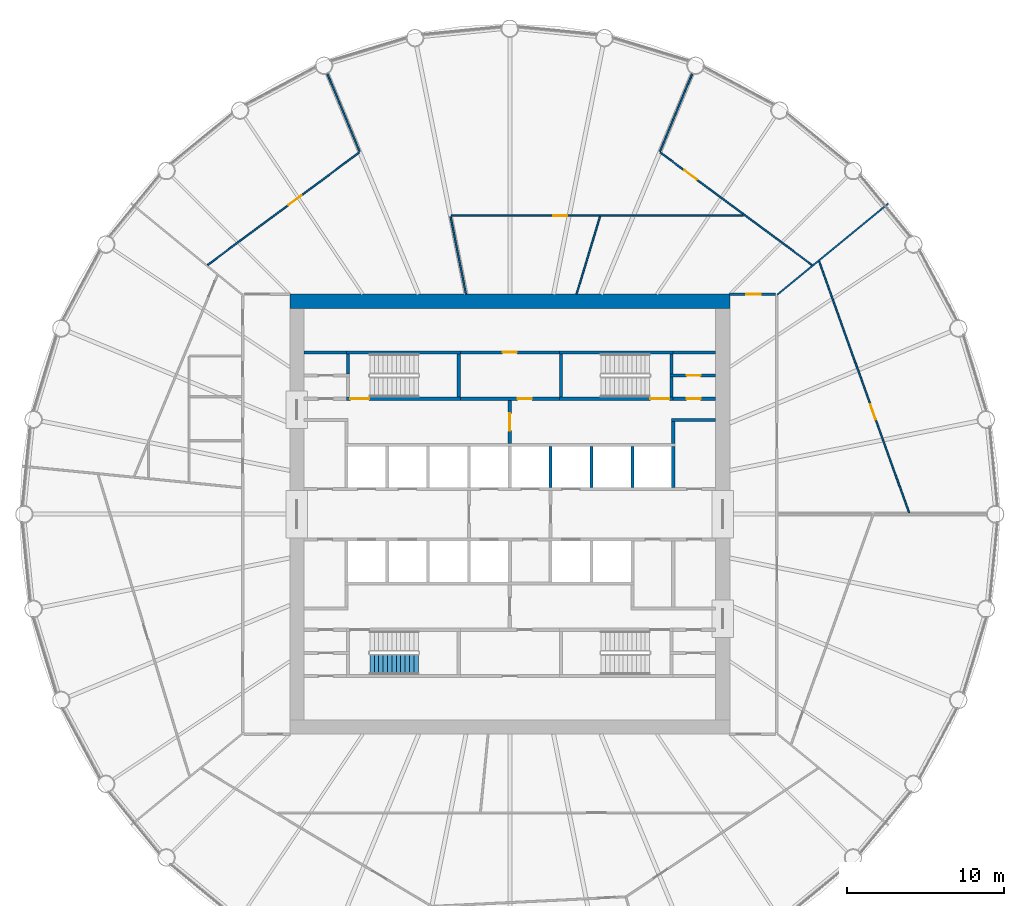
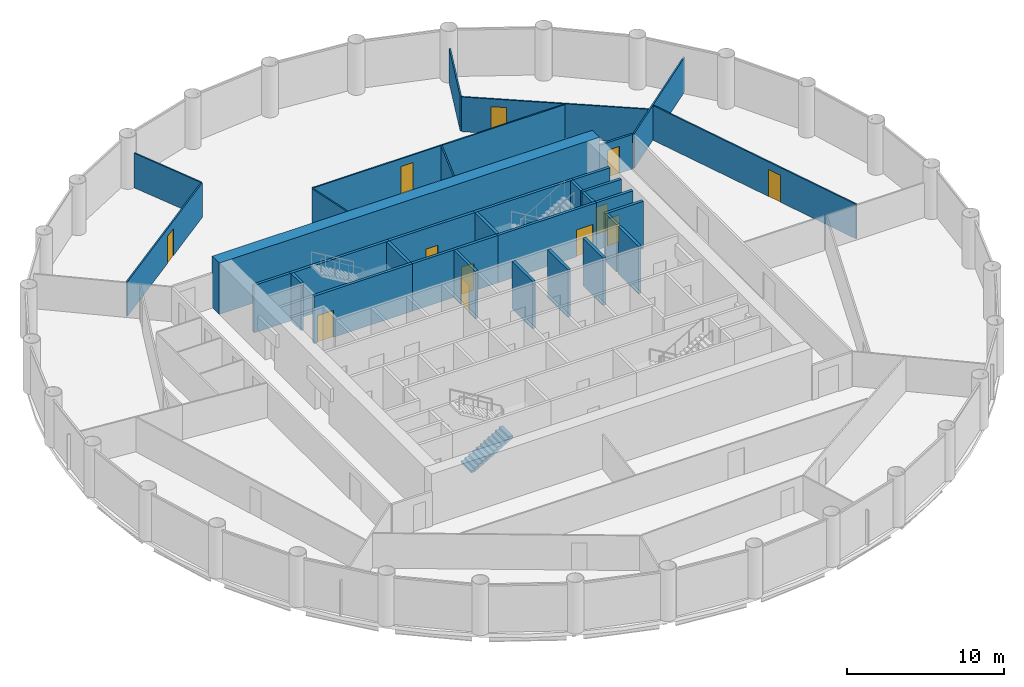
# One storey, part 7 of 9: 33 walls, 12 doors, 1 stair flight, 12 openings, 1 element without a shape of its own.
"""IFC4 building model written with IfcOpenShell, lengths in metres."""

import ifcopenshell
import ifcopenshell.guid

model = None  # the IFC model being written
_history = None  # IfcOwnerHistory: only IFC2X3 demands one
_inside = {}  # id of a spatial element -> (the spatial element, [elements in it])
_under = {}  # id of a project, library or spatial element -> (it, [spatial elements below it])
_declared = {}  # id of a project -> (the project, [libraries it declares])
_typed = {}  # id of a type object -> (the type object, [elements of that type])
_made_of = {}  # id of a material, layer set ... -> (it, [elements and type objects made of it])


def new_model(schema):
    """Start an empty IFC model of exactly this schema.

    Asked for "IFC4X3", IfcOpenShell would pick the latest addendum, in which some entities
    have other attributes; the version numbers below select the first issue.
    IFC2X3 requires an IfcOwnerHistory on every rooted entity: one is made here for all.
    """
    global model, _history
    if schema == "IFC4X3":
        model = ifcopenshell.file(schema_version=(4, 3, 0, 0))
    else:
        model = ifcopenshell.file(schema=schema)
    _inside.clear()
    _under.clear()
    _declared.clear()
    _typed.clear()
    _made_of.clear()
    _history = None
    if model.schema == "IFC2X3":
        org = make("IfcOrganization", Name="unknown")
        user = make(
            "IfcPersonAndOrganization",
            ThePerson=make("IfcPerson", FamilyName="unknown"),
            TheOrganization=org,
        )
        app = make(
            "IfcApplication",
            ApplicationDeveloper=org,
            Version="unknown",
            ApplicationFullName="unknown",
            ApplicationIdentifier="unknown",
        )
        _history = make(
            "IfcOwnerHistory",
            OwningUser=user,
            OwningApplication=app,
            ChangeAction="ADDED",
            CreationDate=0,
        )
    return model


def make(cls, **values):
    """One entity of the class cls with the attributes given. An attribute that is None is left unset."""
    return model.create_entity(
        cls, **{name: value for name, value in values.items() if value is not None}
    )


def rooted(cls, **values):
    """An entity with a GlobalId (a new one), such as an element, a storey or a relation."""
    return make(cls, GlobalId=ifcopenshell.guid.new(), OwnerHistory=_history, **values)


def si_unit(unit_type, name, prefix=None):
    """IfcSIUnit, for example si_unit("LENGTHUNIT", "METRE", prefix="MILLI")."""
    return make("IfcSIUnit", UnitType=unit_type, Prefix=prefix, Name=name)


def assignment(units):
    """IfcUnitAssignment: the units of a project."""
    return None if units is None else make("IfcUnitAssignment", Units=units)


def point(xyz):
    """IfcCartesianPoint."""
    return None if xyz is None else make("IfcCartesianPoint", Coordinates=xyz)


def direction(xyz):
    """IfcDirection."""
    return None if xyz is None else make("IfcDirection", DirectionRatios=xyz)


def frame(location, z_axis=None, x_axis=None):
    """IfcAxis2Placement3D, a coordinate frame: its origin and axes. An axis left out is left unset."""
    return make(
        "IfcAxis2Placement3D",
        Location=point(location),
        Axis=direction(z_axis),
        RefDirection=direction(x_axis),
    )


def frame_2d(location, x_axis=None):
    """IfcAxis2Placement2D, a coordinate frame in the plane: its origin and x axis."""
    return make(
        "IfcAxis2Placement2D", Location=point(location), RefDirection=direction(x_axis)
    )


def origin():
    """The frame at (0, 0, 0) with its axes left unset."""
    return frame((0.0, 0.0, 0.0))


def place(relative_to, where):
    """IfcLocalPlacement: puts the frame where relative to a parent placement (None: the world)."""
    return make(
        "IfcLocalPlacement", PlacementRelTo=relative_to, RelativePlacement=where
    )


def context(
    kind, dimensions, precision=None, world=None, true_north=None, identifier=None
):
    """IfcGeometricRepresentationContext, for example the 3D "Model" context."""
    return make(
        "IfcGeometricRepresentationContext",
        ContextIdentifier=identifier,
        ContextType=kind,
        CoordinateSpaceDimension=dimensions,
        Precision=precision,
        WorldCoordinateSystem=world,
        TrueNorth=true_north,
    )


def subcontext(parent, identifier, kind, view, scale=None):
    """IfcGeometricRepresentationSubContext, for example "Body" below "Model"."""
    return make(
        "IfcGeometricRepresentationSubContext",
        ContextIdentifier=identifier,
        ContextType=kind,
        ParentContext=parent,
        TargetScale=scale,
        TargetView=view,
    )


def project(units=None, contexts=None):
    """IfcProject with its units and contexts."""
    return rooted(
        "IfcProject",
        Name="project",
        RepresentationContexts=contexts,
        UnitsInContext=assignment(units),
    )


def spatial(cls, under=None, at=None, **own):
    """A site, building, storey or space (cls), placed at a placement, below another one or the project."""
    s = rooted(cls, ObjectPlacement=at, **own)
    if under is not None:
        _under.setdefault(under.id(), (under, []))[1].append(s)
    return s


def polyline(points):
    """IfcPolyline through the points."""
    return make("IfcPolyline", Points=[point(p) for p in points])


def profile(cls, at=None, kind="AREA", **sizes):
    """A parametric profile (cls). Its sizes go by their IFC names, for example OverallWidth=200.0."""
    return make(cls, ProfileType=kind, Position=at, **sizes)


def rectangle(**sizes):
    """IfcRectangleProfileDef."""
    return profile("IfcRectangleProfileDef", **sizes)


def outline(outer, holes=None, kind="AREA"):
    """IfcArbitraryClosedProfileDef: a profile drawn as a closed curve; with holes, ...WithVoids."""
    if holes is None:
        return make("IfcArbitraryClosedProfileDef", ProfileType=kind, OuterCurve=outer)
    return make(
        "IfcArbitraryProfileDefWithVoids",
        ProfileType=kind,
        OuterCurve=outer,
        InnerCurves=holes,
    )


def extrude(swept, where, along, depth):
    """IfcExtrudedAreaSolid: the profile swept, set in the frame where, extruded along a direction by depth."""
    return make(
        "IfcExtrudedAreaSolid",
        SweptArea=swept,
        Position=where,
        ExtrudedDirection=direction(along),
        Depth=depth,
    )


def shape(context_of_items, identifier, shape_type, items):
    """IfcShapeRepresentation: the items that make up one representation, for example the "Body"."""
    return make(
        "IfcShapeRepresentation",
        ContextOfItems=context_of_items,
        RepresentationIdentifier=identifier,
        RepresentationType=shape_type,
        Items=items,
    )


def material(Name=None, Category=None):
    """IfcMaterial."""
    return make("IfcMaterial", Name=Name, Category=Category)


def layer(
    of_material, thickness, ventilated=None, Name=None, Category=None, Priority=None
):
    """IfcMaterialLayer: one layer of a wall or slab, of a material (None: an air gap)."""
    return make(
        "IfcMaterialLayer",
        Material=of_material,
        LayerThickness=thickness,
        IsVentilated=ventilated,
        Name=Name,
        Category=Category,
        Priority=Priority,
    )


def layer_set(layers, Name=None):
    """IfcMaterialLayerSet."""
    return make("IfcMaterialLayerSet", MaterialLayers=layers, LayerSetName=Name)


def made_of(thing, what):
    """Note that an element or type object is made of a material, layer set ...; save() writes the relation."""
    if what is not None:
        _made_of.setdefault(what.id(), (what, []))[1].append(thing)
    return thing


def type_object(cls, material=None, **own):
    """A type object (cls), such as IfcWallType, which elements share."""
    return made_of(rooted(cls, **own), material)


def element(
    cls,
    number,
    at=None,
    inside=None,
    cuts=None,
    type_object=None,
    material=None,
    context=None,
    identifier="Body",
    shape_type=None,
    held_by="IfcProductDefinitionShape",
    body=None,
    shapes=None,
    **own,
):
    """One element of the class cls, such as IfcWall. Its Tag is "e" and its number.

    at: its placement. inside: the storey or other place that contains it. cuts: it is an
    opening in that element (IfcRelVoidsElement). A single representation is given by context,
    identifier, shape_type and body (its items); several are given by shapes. held_by: the class
    of the entity that holds the representations. save() writes the other relations.
    """
    e = rooted(cls, Tag="e%d" % number, ObjectPlacement=at, **own)
    if body is not None:
        shapes = [shape(context, identifier, shape_type, body)]
    if shapes is not None:
        e.Representation = make(held_by, Representations=shapes)
    if inside is not None:
        _inside.setdefault(inside.id(), (inside, []))[1].append(e)
    if cuts is not None:
        rooted(
            "IfcRelVoidsElement", RelatingBuildingElement=cuts, RelatedOpeningElement=e
        )
    if type_object is not None:
        _typed.setdefault(type_object.id(), (type_object, []))[1].append(e)
    return made_of(e, material)


def fill(opening, filler):
    """IfcRelFillsElement: the door or window that sits in an opening."""
    return rooted(
        "IfcRelFillsElement",
        RelatingOpeningElement=opening,
        RelatedBuildingElement=filler,
    )


def aggregate(whole, parts):
    """IfcRelAggregates: a whole, such as a stair, and the parts it consists of."""
    return rooted("IfcRelAggregates", RelatingObject=whole, RelatedObjects=parts)


def save(model, path):
    """Write the relations noted so far, then the file.

    IfcRelAggregates (storeys below a building ...), IfcRelContainedInSpatialStructure (elements
    in a storey), IfcRelDefinesByType, IfcRelAssociatesMaterial and IfcRelDeclares: one each for
    every whole, place, type object, material and project.
    """
    for whole, parts in _under.values():
        aggregate(whole, parts)
    for where, things in _inside.values():
        rooted(
            "IfcRelContainedInSpatialStructure",
            RelatedElements=things,
            RelatingStructure=where,
        )
    for kind, things in _typed.values():
        rooted("IfcRelDefinesByType", RelatedObjects=things, RelatingType=kind)
    for what, things in _made_of.values():
        rooted("IfcRelAssociatesMaterial", RelatedObjects=things, RelatingMaterial=what)
    for by, libraries in _declared.values():
        rooted("IfcRelDeclares", RelatingContext=by, RelatedDefinitions=libraries)
    model.write(path)


model = new_model("IFC4")

# Units and contexts
model_context = context("Model", 3, precision=1e-05, world=origin(), true_north=direction((0.0, 1.0)))
body_context = subcontext(model_context, "Body", "Model", "MODEL_VIEW")
ifc_project = project(units=[si_unit("LENGTHUNIT", "METRE"), si_unit("AREAUNIT", "SQUARE_METRE"), si_unit("VOLUMEUNIT", "CUBIC_METRE"), si_unit("PLANEANGLEUNIT", "RADIAN"), si_unit("MASSUNIT", "GRAM", prefix="KILO")], contexts=[model_context])

# Site, building, storey
site_placement = place(None, origin())
site = spatial("IfcSite", under=ifc_project, at=site_placement, CompositionType="ELEMENT")
building_placement = place(site_placement, origin())
building = spatial("IfcBuilding", under=site, at=building_placement, Name="Corvane Civic Tower", CompositionType="ELEMENT")
storey_placement = place(building_placement, frame((0.0, 0.0, 168.0)))
storey = spatial("IfcBuildingStorey", under=building, at=storey_placement, Name="L39", CompositionType="ELEMENT", Elevation=168.0)

# Wall
ifc_material_1 = material(Name="Concrete C60/75", Category="concrete")
ifc_layer_1 = layer(ifc_material_1, 0.89990234375)
ifc_layer_set_1 = layer_set([ifc_layer_1], Name="Concrete C60/75")
wall_type_1 = type_object("IfcWallType", Name="CORE WALL 900 C60/75", PredefinedType="SHEAR", material=ifc_layer_set_1)
wall_1_placement = place(storey_placement, frame((-14.0, 13.550048828125, 0.0), z_axis=(0.0, 0.0, 1.0), x_axis=(1.0, 0.0, 0.0)))
element("IfcWall", 1, at=wall_1_placement, inside=storey, type_object=wall_type_1, Name="W-L39-core-N", PredefinedType="SHEAR", context=body_context, shape_type="SweptSolid", body=[
    extrude(rectangle(XDim=28.0, YDim=0.89990234375, at=frame_2d((14.0, 0.0))), origin(), (0.0, 0.0, 1.0), 4.0),
])

# Wall, opening, door
ifc_material_2 = material(Name="Concrete C30/37", Category="concrete")
ifc_layer_2 = layer(ifc_material_2, 0.199951171875)
ifc_layer_set_2 = layer_set([ifc_layer_2], Name="Concrete C30/37")
wall_type_2 = type_object("IfcWallType", Name="CR-WALL-200", PredefinedType="PARTITIONING", material=ifc_layer_set_2)
wall_2_placement = place(storey_placement, frame((-3.14990234375, 7.35009765625, 0.0), z_axis=(0.0, 0.0, 1.0), x_axis=(1.0, 0.0, 0.0)))
wall_2 = element("IfcWall", 2, at=wall_2_placement, inside=storey, type_object=wall_type_2, Name="L39 partition wall", PredefinedType="PARTITIONING", context=body_context, shape_type="SweptSolid", body=[
    extrude(rectangle(XDim=6.2998046875, YDim=0.199951171875, at=frame_2d((3.14990234375, 0.0))), origin(), (0.0, 0.0, 1.0), 3.699951171875),
])
opening_1_placement = place(wall_2_placement, frame((3.64990234375, 0.0, 0.0)))
opening_1 = element("IfcOpeningElement", 3, at=opening_1_placement, cuts=wall_2, Name="Opening L39.C07", PredefinedType="OPENING", context=body_context, shape_type="SweptSolid", body=[
    extrude(rectangle(XDim=0.89990234375, YDim=2.10009765625, at=frame_2d((0.449951171875, 1.050048828125))), frame((0.0, 0.10986328125, 0.0), z_axis=(0.0, -1.0, 0.0), x_axis=(1.0, 0.0, 0.0)), (0.0, 0.0, 1.0), 0.219970703125),
])
ifc_material_3 = material(Name="Steel fire door leaf", Category="steel")
door_type_1 = type_object("IfcDoorType", Name="CR-DOOR-900", OperationType="SINGLE_SWING_LEFT", PredefinedType="DOOR", material=ifc_material_3)
door_1_placement = place(opening_1_placement, origin())
door_1 = element("IfcDoor", 4, at=door_1_placement, inside=storey, type_object=door_type_1, Name="L39 door", OperationType="SINGLE_SWING_LEFT", OverallHeight=2.10009765625, OverallWidth=0.89990234375, PredefinedType="DOOR", context=body_context, shape_type="SweptSolid", body=[
    extrude(rectangle(XDim=0.89990234375, YDim=2.10009765625, at=frame_2d((0.449951171875, 1.050048828125))), frame((0.0, 0.02490234375, 0.0), z_axis=(0.0, -1.0, 0.0), x_axis=(1.0, 0.0, 0.0)), (0.0, 0.0, 1.0), 0.050048828125),
])
fill(opening_1, door_1)

wall_3_placement = place(storey_placement, frame((10.39990234375, 7.35009765625, 0.0), z_axis=(0.0, 0.0, 1.0), x_axis=(1.0, 0.0, 0.0)))
wall_3 = element("IfcWall", 5, at=wall_3_placement, inside=storey, type_object=wall_type_2, Name="L39 core partition wall", PredefinedType="PARTITIONING", context=body_context, shape_type="SweptSolid", body=[
    extrude(rectangle(XDim=2.7001953125, YDim=0.199951171875, at=frame_2d((1.35009765625, 0.0))), origin(), (0.0, 0.0, 1.0), 3.699951171875),
])
opening_2_placement = place(wall_3_placement, frame((0.85009765625, 0.0, 0.0)))
opening_2 = element("IfcOpeningElement", 6, at=opening_2_placement, cuts=wall_3, Name="Opening L39.C16", PredefinedType="OPENING", context=body_context, shape_type="SweptSolid", body=[
    extrude(rectangle(XDim=0.89990234375, YDim=2.10009765625, at=frame_2d((0.449951171875, 1.050048828125))), frame((0.0, 0.10986328125, 0.0), z_axis=(0.0, -1.0, 0.0), x_axis=(1.0, 0.0, 0.0)), (0.0, 0.0, 1.0), 0.219970703125),
])
door_2_placement = place(opening_2_placement, origin())
door_2 = element("IfcDoor", 7, at=door_2_placement, inside=storey, type_object=door_type_1, Name="L39 door", OperationType="SINGLE_SWING_LEFT", OverallHeight=2.10009765625, OverallWidth=0.89990234375, PredefinedType="DOOR", context=body_context, shape_type="SweptSolid", body=[
    extrude(rectangle(XDim=0.89990234375, YDim=2.10009765625, at=frame_2d((0.449951171875, 1.050048828125))), frame((0.0, 0.02490234375, 0.0), z_axis=(0.0, -1.0, 0.0), x_axis=(1.0, 0.0, 0.0)), (0.0, 0.0, 1.0), 0.050048828125),
])
fill(opening_2, door_2)

wall_4_placement = place(storey_placement, frame((10.199951171875, 8.824951171875, 0.0), z_axis=(0.0, 0.0, 1.0), x_axis=(1.0, 0.0, 0.0)))
wall_4 = element("IfcWall", 8, at=wall_4_placement, inside=storey, type_object=wall_type_2, Name="L39 partition wall", PredefinedType="PARTITIONING", context=body_context, shape_type="SweptSolid", body=[
    extrude(rectangle(XDim=2.900146484375, YDim=0.199951171875, at=frame_2d((1.4501953125, 0.0))), origin(), (0.0, 0.0, 1.0), 3.699951171875),
])
opening_3_placement = place(wall_4_placement, frame((1.050048828125, 0.0, 0.0)))
opening_3 = element("IfcOpeningElement", 9, at=opening_3_placement, cuts=wall_4, Name="Opening L39.C17", PredefinedType="OPENING", context=body_context, shape_type="SweptSolid", body=[
    extrude(rectangle(XDim=0.89990234375, YDim=2.10009765625, at=frame_2d((0.449951171875, 1.050048828125))), frame((0.0, 0.10986328125, 0.0), z_axis=(0.0, -1.0, 0.0), x_axis=(1.0, 0.0, 0.0)), (0.0, 0.0, 1.0), 0.219970703125),
])
door_3_placement = place(opening_3_placement, origin())
door_3 = element("IfcDoor", 10, at=door_3_placement, inside=storey, type_object=door_type_1, Name="L39 door", OperationType="SINGLE_SWING_LEFT", OverallHeight=2.10009765625, OverallWidth=0.89990234375, PredefinedType="DOOR", context=body_context, shape_type="SweptSolid", body=[
    extrude(rectangle(XDim=0.89990234375, YDim=2.10009765625, at=frame_2d((0.449951171875, 1.050048828125))), frame((0.0, 0.02490234375, 0.0), z_axis=(0.0, -1.0, 0.0), x_axis=(1.0, 0.0, 0.0)), (0.0, 0.0, 1.0), 0.050048828125),
])
fill(opening_3, door_3)

wall_5_placement = place(storey_placement, frame((-3.14990234375, 10.300048828125, 0.0), z_axis=(0.0, 0.0, 1.0), x_axis=(1.0, 0.0, 0.0)))
wall_5 = element("IfcWall", 11, at=wall_5_placement, inside=storey, type_object=wall_type_2, Name="L39 partition wall", PredefinedType="PARTITIONING", context=body_context, shape_type="SweptSolid", body=[
    extrude(rectangle(XDim=6.2998046875, YDim=0.199951171875, at=frame_2d((3.14990234375, 0.0))), origin(), (0.0, 0.0, 1.0), 3.699951171875),
])
opening_4_placement = place(wall_5_placement, frame((2.699951171875, 0.0, 0.0)))
opening_4 = element("IfcOpeningElement", 12, at=opening_4_placement, cuts=wall_5, Name="Opening L39.C09", PredefinedType="OPENING", context=body_context, shape_type="SweptSolid", body=[
    extrude(rectangle(XDim=0.89990234375, YDim=2.10009765625, at=frame_2d((0.449951171875, 1.050048828125))), frame((0.0, 0.10986328125, 0.0), z_axis=(0.0, -1.0, 0.0), x_axis=(1.0, 0.0, 0.0)), (0.0, 0.0, 1.0), 0.219970703125),
])
door_4_placement = place(opening_4_placement, origin())
door_4 = element("IfcDoor", 13, at=door_4_placement, inside=storey, type_object=door_type_1, Name="L39 door", OperationType="SINGLE_SWING_LEFT", OverallHeight=2.10009765625, OverallWidth=0.89990234375, PredefinedType="DOOR", context=body_context, shape_type="SweptSolid", body=[
    extrude(rectangle(XDim=0.89990234375, YDim=2.10009765625, at=frame_2d((0.449951171875, 1.050048828125))), frame((0.0, 0.02490234375, 0.0), z_axis=(0.0, -1.0, 0.0), x_axis=(1.0, 0.0, 0.0)), (0.0, 0.0, 1.0), 0.050048828125),
])
fill(opening_4, door_4)

wall_6_placement = place(storey_placement, frame((0.0, 4.5, 0.0), z_axis=(0.0, 0.0, 1.0), x_axis=(0.0, 1.0, 0.0)))
wall_6 = element("IfcWall", 14, at=wall_6_placement, inside=storey, type_object=wall_type_2, Name="L39 core partition wall", PredefinedType="PARTITIONING", context=body_context, shape_type="SweptSolid", body=[
    extrude(rectangle(XDim=2.75, YDim=0.199951171875, at=frame_2d((1.375, 0.0))), origin(), (0.0, 0.0, 1.0), 3.699951171875),
])
opening_5_placement = place(wall_6_placement, frame((0.824951171875, 0.0, 0.0)))
opening_5 = element("IfcOpeningElement", 15, at=opening_5_placement, cuts=wall_6, Name="Opening L39.C26", PredefinedType="OPENING", context=body_context, shape_type="SweptSolid", body=[
    extrude(rectangle(XDim=1.10009765625, YDim=2.10009765625, at=frame_2d((0.550048828125, 1.050048828125))), frame((0.0, 0.10986328125, 0.0), z_axis=(0.0, -1.0, 0.0), x_axis=(1.0, 0.0, 0.0)), (0.0, 0.0, 1.0), 0.219970703125),
])
ifc_material_4 = material(Name="Steel fire door leaf", Category="steel")
door_type_2 = type_object("IfcDoorType", Name="CR-DOOR-FFL-1100", OperationType="SINGLE_SWING_LEFT", PredefinedType="DOOR", material=ifc_material_4)
door_5_placement = place(opening_5_placement, origin())
door_5 = element("IfcDoor", 16, at=door_5_placement, inside=storey, type_object=door_type_2, Name="L39 lobby door", OperationType="SINGLE_SWING_LEFT", OverallHeight=2.10009765625, OverallWidth=1.10009765625, PredefinedType="DOOR", context=body_context, shape_type="SweptSolid", body=[
    extrude(rectangle(XDim=1.10009765625, YDim=2.10009765625, at=frame_2d((0.550048828125, 1.050048828125))), frame((0.0, 0.02490234375, 0.0), z_axis=(0.0, -1.0, 0.0), x_axis=(1.0, 0.0, 0.0)), (0.0, 0.0, 1.0), 0.050048828125),
])
fill(opening_5, door_5)

# Walls
wall_7_placement = place(storey_placement, origin())
element("IfcWall", 17, at=wall_7_placement, inside=storey, type_object=wall_type_2, Name="L39 core partition wall", PredefinedType="PARTITIONING", context=body_context, shape_type="SweptSolid", body=[
    extrude(outline(polyline([(13.10009765625, 5.89990234375), (10.300048828125, 5.89990234375), (10.300048828125, 6.10009765625), (13.10009765625, 6.10009765625), (13.10009765625, 5.89990234375)])), origin(), (0.0, 0.0, 1.0), 3.699951171875),
])
wall_8_placement = place(storey_placement, origin())
element("IfcWall", 18, at=wall_8_placement, inside=storey, type_object=wall_type_2, Name="L39 core partition wall", PredefinedType="PARTITIONING", context=body_context, shape_type="SweptSolid", body=[
    extrude(outline(polyline([(2.699951171875, 1.699951171875), (2.5, 1.699951171875), (2.5, 4.2998046875), (2.699951171875, 4.2998046875), (2.699951171875, 1.699951171875)])), origin(), (0.0, 0.0, 1.0), 3.699951171875),
])
wall_9_placement = place(storey_placement, origin())
element("IfcWall", 19, at=wall_9_placement, inside=storey, type_object=wall_type_2, Name="L39 core partition wall", PredefinedType="PARTITIONING", context=body_context, shape_type="SweptSolid", body=[
    extrude(outline(polyline([(5.300048828125, 1.699951171875), (5.10009765625, 1.699951171875), (5.10009765625, 4.2998046875), (5.300048828125, 4.2998046875), (5.300048828125, 1.699951171875)])), origin(), (0.0, 0.0, 1.0), 3.699951171875),
])
wall_10_placement = place(storey_placement, origin())
element("IfcWall", 20, at=wall_10_placement, inside=storey, type_object=wall_type_2, Name="L39 core partition wall", PredefinedType="PARTITIONING", context=body_context, shape_type="SweptSolid", body=[
    extrude(outline(polyline([(7.89990234375, 1.699951171875), (7.699951171875, 1.699951171875), (7.699951171875, 4.2998046875), (7.89990234375, 4.2998046875), (7.89990234375, 1.699951171875)])), origin(), (0.0, 0.0, 1.0), 3.699951171875),
])
wall_11_placement = place(storey_placement, origin())
element("IfcWall", 21, at=wall_11_placement, inside=storey, type_object=wall_type_2, Name="L39 core partition wall", PredefinedType="PARTITIONING", context=body_context, shape_type="SweptSolid", body=[
    extrude(outline(polyline([(10.5, 1.699951171875), (10.300048828125, 1.699951171875), (10.300048828125, 4.2998046875), (10.5, 4.2998046875), (10.5, 1.699951171875)])), origin(), (0.0, 0.0, 1.0), 3.699951171875),
])
wall_12_placement = place(storey_placement, origin())
element("IfcWall", 22, at=wall_12_placement, inside=storey, type_object=wall_type_2, Name="L39 core partition wall", PredefinedType="PARTITIONING", context=body_context, shape_type="SweptSolid", body=[
    extrude(outline(polyline([(10.5, 4.5), (10.300048828125, 4.5), (10.300048828125, 5.89990234375), (10.5, 5.89990234375), (10.5, 4.5)])), origin(), (0.0, 0.0, 1.0), 3.699951171875),
])
wall_13_placement = place(storey_placement, origin())
element("IfcWall", 23, at=wall_13_placement, inside=storey, type_object=wall_type_2, Name="L39 core partition wall", PredefinedType="PARTITIONING", context=body_context, shape_type="SweptSolid", body=[
    extrude(outline(polyline([(-13.10009765625, 10.199951171875), (-13.10009765625, 10.39990234375), (-10.39990234375, 10.39990234375), (-10.39990234375, 10.199951171875), (-13.10009765625, 10.199951171875)])), origin(), (0.0, 0.0, 1.0), 3.699951171875),
])
wall_14_placement = place(storey_placement, origin())
element("IfcWall", 24, at=wall_14_placement, inside=storey, type_object=wall_type_2, Name="L39 core partition wall", PredefinedType="PARTITIONING", context=body_context, shape_type="SweptSolid", body=[
    extrude(outline(polyline([(10.39990234375, 10.199951171875), (10.39990234375, 10.39990234375), (13.10009765625, 10.39990234375), (13.10009765625, 10.199951171875), (10.39990234375, 10.199951171875)])), origin(), (0.0, 0.0, 1.0), 3.699951171875),
])

# Wall, opening, door
ifc_material_5 = material(Name="Plasterboard")
ifc_layer_3 = layer(ifc_material_5, 0.10009765625)
ifc_layer_set_3 = layer_set([ifc_layer_3], Name="Plasterboard")
wall_type_3 = type_object("IfcWallType", Name="Partition 100 plasterboard on studs", PredefinedType="PARTITIONING", material=ifc_layer_set_3)
wall_15_placement = place(storey_placement, frame((19.69189453125, 16.07421875, 0.0), z_axis=(0.0, 0.0, 1.0), x_axis=(0.33689125471, -0.941543563782, 0.0)))
wall_15 = element("IfcWall", 25, at=wall_15_placement, inside=storey, type_object=wall_type_3, Name="Partition L39.018", PredefinedType="PARTITIONING", context=body_context, shape_type="SweptSolid", body=[
    extrude(rectangle(XDim=17.001220703125, YDim=0.10009765625, at=frame_2d((8.50048828125, 0.0))), origin(), (0.0, 0.0, 1.0), 2.699951171875),
])
opening_6_placement = place(wall_15_placement, frame((9.663818359375, 0.0, 0.0)))
opening_6 = element("IfcOpeningElement", 26, at=opening_6_placement, cuts=wall_15, Name="Opening L39.012", PredefinedType="OPENING", context=body_context, shape_type="SweptSolid", body=[
    extrude(rectangle(XDim=1.0, YDim=2.10009765625, at=frame_2d((0.5, 1.050048828125))), frame((0.0, 0.06005859375, 0.0), z_axis=(0.0, -1.0, 0.0), x_axis=(1.0, 0.0, 0.0)), (0.0, 0.0, 1.0), 0.1201171875),
])
ifc_material_6 = material(Name="Timber", Category="wood")
door_type_3 = type_object("IfcDoorType", Name="Single door 1000", OperationType="NOTDEFINED", PredefinedType="DOOR", material=ifc_material_6)
door_6_placement = place(opening_6_placement, origin())
door_6 = element("IfcDoor", 27, at=door_6_placement, inside=storey, type_object=door_type_3, Name="Door L39.012", OperationType="SINGLE_SWING_LEFT", OverallHeight=2.10009765625, OverallWidth=1.0, PredefinedType="DOOR", context=body_context, shape_type="SweptSolid", body=[
    extrude(rectangle(XDim=1.0, YDim=2.10009765625, at=frame_2d((0.5, 1.050048828125))), frame((0.0, 0.02490234375, 0.0), z_axis=(0.0, -1.0, 0.0), x_axis=(1.0, 0.0, 0.0)), (0.0, 0.0, 1.0), 0.050048828125),
])
fill(opening_6, door_6)

# Walls
wall_16_placement = place(storey_placement, frame((17.018310546875, 13.966552734375, 0.0), z_axis=(0.0, 0.0, 1.0), x_axis=(0.773006154143, 0.634398522742, 0.0)))
element("IfcWall", 28, at=wall_16_placement, inside=storey, type_object=wall_type_3, Name="Partition L39.027", PredefinedType="PARTITIONING", context=body_context, shape_type="SweptSolid", body=[
    extrude(rectangle(XDim=9.134521484375, YDim=0.10009765625, at=frame_2d((4.5673828125, 0.0))), origin(), (0.0, 0.0, 1.0), 2.699951171875),
])
wall_17_placement = place(storey_placement, frame((-3.767333984375, 18.940185546875, 0.0), z_axis=(0.0, 0.0, 1.0), x_axis=(0.195044080864, -0.980794477207, 0.0)))
element("IfcWall", 29, at=wall_17_placement, inside=storey, type_object=wall_type_3, Name="Partition L39.029", PredefinedType="PARTITIONING", context=body_context, shape_type="SweptSolid", body=[
    extrude(rectangle(XDim=5.036865234375, YDim=0.10009765625, at=frame_2d((2.5185546875, 0.0))), origin(), (0.0, 0.0, 1.0), 2.699951171875),
])
wall_18_placement = place(storey_placement, frame((4.246826171875, 14.0, 0.0), z_axis=(0.0, 0.0, 1.0), x_axis=(0.29026488673, 0.956946338899, 0.0)))
element("IfcWall", 30, at=wall_18_placement, inside=storey, type_object=wall_type_3, Name="Partition L39.030", PredefinedType="PARTITIONING", context=body_context, shape_type="SweptSolid", body=[
    extrude(rectangle(XDim=5.15771484375, YDim=0.10009765625, at=frame_2d((2.578857421875, 0.0))), origin(), (0.0, 0.0, 1.0), 2.699951171875),
])

# Wall, opening, door
wall_19_placement = place(storey_placement, frame((-19.2294921875, 15.861572265625, 0.0), z_axis=(0.0, 0.0, 1.0), x_axis=(0.80320870708, 0.595697719376, 0.0)))
wall_19 = element("IfcWall", 31, at=wall_19_placement, inside=storey, type_object=wall_type_3, Name="Partition L39.032", PredefinedType="PARTITIONING", context=body_context, shape_type="SweptSolid", body=[
    extrude(rectangle(XDim=12.01806640625, YDim=0.10009765625, at=frame_2d((6.009033203125, 0.0))), origin(), (0.0, 0.0, 1.0), 2.699951171875),
])
opening_7_placement = place(wall_19_placement, frame((6.42236328125, 0.0, 0.0)))
opening_7 = element("IfcOpeningElement", 32, at=opening_7_placement, cuts=wall_19, Name="Opening L39.001", PredefinedType="OPENING", context=body_context, shape_type="SweptSolid", body=[
    extrude(rectangle(XDim=1.0, YDim=2.10009765625, at=frame_2d((0.5, 1.050048828125))), frame((0.0, 0.06005859375, 0.0), z_axis=(0.0, -1.0, 0.0), x_axis=(1.0, 0.0, 0.0)), (0.0, 0.0, 1.0), 0.1201171875),
])
door_7_placement = place(opening_7_placement, origin())
door_7 = element("IfcDoor", 33, at=door_7_placement, inside=storey, type_object=door_type_3, Name="Door L39.001", OperationType="SINGLE_SWING_RIGHT", OverallHeight=2.10009765625, OverallWidth=1.0, PredefinedType="DOOR", context=body_context, shape_type="SweptSolid", body=[
    extrude(rectangle(XDim=1.0, YDim=2.10009765625, at=frame_2d((0.5, 1.050048828125))), frame((0.0, 0.02490234375, 0.0), z_axis=(0.0, -1.0, 0.0), x_axis=(1.0, 0.0, 0.0)), (0.0, 0.0, 1.0), 0.050048828125),
])
fill(opening_7, door_7)

wall_20_placement = place(storey_placement, frame((9.576416015625, 23.020751953125, 0.0), z_axis=(0.0, 0.0, 1.0), x_axis=(0.80320870708, -0.595697719376, 0.0)))
wall_20 = element("IfcWall", 34, at=wall_20_placement, inside=storey, type_object=wall_type_3, Name="Partition L39.033", PredefinedType="PARTITIONING", context=body_context, shape_type="SweptSolid", body=[
    extrude(rectangle(XDim=12.01806640625, YDim=0.10009765625, at=frame_2d((6.009033203125, 0.0))), origin(), (0.0, 0.0, 1.0), 2.699951171875),
])
opening_8_placement = place(wall_20_placement, frame((1.90576171875, 0.0, 0.0)))
opening_8 = element("IfcOpeningElement", 35, at=opening_8_placement, cuts=wall_20, Name="Opening L39.002", PredefinedType="OPENING", context=body_context, shape_type="SweptSolid", body=[
    extrude(rectangle(XDim=1.0, YDim=2.10009765625, at=frame_2d((0.5, 1.050048828125))), frame((0.0, 0.06005859375, 0.0), z_axis=(0.0, -1.0, 0.0), x_axis=(1.0, 0.0, 0.0)), (0.0, 0.0, 1.0), 0.1201171875),
])
door_8_placement = place(opening_8_placement, origin())
door_8 = element("IfcDoor", 36, at=door_8_placement, inside=storey, type_object=door_type_3, Name="Door L39.002", OperationType="SINGLE_SWING_LEFT", OverallHeight=2.10009765625, OverallWidth=1.0, PredefinedType="DOOR", context=body_context, shape_type="SweptSolid", body=[
    extrude(rectangle(XDim=1.0, YDim=2.10009765625, at=frame_2d((0.5, 1.050048828125))), frame((0.0, 0.02490234375, 0.0), z_axis=(0.0, -1.0, 0.0), x_axis=(1.0, 0.0, 0.0)), (0.0, 0.0, 1.0), 0.050048828125),
])
fill(opening_8, door_8)

wall_21_placement = place(storey_placement, frame((-3.718505859375, 19.0, 0.0), z_axis=(0.0, 0.0, 1.0), x_axis=(1.0, 0.0, 0.0)))
wall_21 = element("IfcWall", 37, at=wall_21_placement, inside=storey, type_object=wall_type_3, Name="Partition L39.034", PredefinedType="PARTITIONING", context=body_context, shape_type="SweptSolid", body=[
    extrude(rectangle(XDim=18.565185546875, YDim=0.10009765625, at=frame_2d((9.28271484375, 0.0))), origin(), (0.0, 0.0, 1.0), 2.699951171875),
])
opening_9_placement = place(wall_21_placement, frame((6.47998046875, 0.0, 0.0)))
opening_9 = element("IfcOpeningElement", 38, at=opening_9_placement, cuts=wall_21, Name="Opening L39.004", PredefinedType="OPENING", context=body_context, shape_type="SweptSolid", body=[
    extrude(rectangle(XDim=0.89990234375, YDim=2.10009765625, at=frame_2d((0.449951171875, 1.050048828125))), frame((0.0, 0.06005859375, 0.0), z_axis=(0.0, -1.0, 0.0), x_axis=(1.0, 0.0, 0.0)), (0.0, 0.0, 1.0), 0.1201171875),
])
ifc_material_7 = material(Name="Timber", Category="wood")
door_type_4 = type_object("IfcDoorType", Name="Single door 900", OperationType="NOTDEFINED", PredefinedType="DOOR", material=ifc_material_7)
door_9_placement = place(opening_9_placement, frame((0.89990234375, 0.0, 0.0), z_axis=(0.0, 0.0, 1.0), x_axis=(-1.0, 0.0, 0.0)))
door_9 = element("IfcDoor", 39, at=door_9_placement, inside=storey, type_object=door_type_4, Name="Door L39.004", OperationType="SINGLE_SWING_RIGHT", OverallHeight=2.10009765625, OverallWidth=0.89990234375, PredefinedType="DOOR", context=body_context, shape_type="SweptSolid", body=[
    extrude(rectangle(XDim=0.89990234375, YDim=2.10009765625, at=frame_2d((0.449951171875, 1.050048828125))), frame((0.0, 0.02490234375, 0.0), z_axis=(0.0, -1.0, 0.0), x_axis=(1.0, 0.0, 0.0)), (0.0, 0.0, 1.0), 0.050048828125),
])
fill(opening_9, door_9)

# Walls
for number, where, z_axis, x_axis, name in (
    (40, (-11.610595703125, 28.030517578125, 0.0), (0.0, 0.0, 1.0), (0.382683105521, -0.923879667895, 0.0), "Partition L39.035"),
    (41, (9.56005859375, 23.080078125, 0.0), (0.0, 0.0, 1.0), (0.382683105521, 0.923879667895, 0.0), "Partition L39.036"),
):
    element("IfcWall", number, at=place(storey_placement, frame(where, z_axis=z_axis, x_axis=x_axis)), inside=storey, type_object=wall_type_3, Name=name, PredefinedType="PARTITIONING", context=body_context, shape_type="SweptSolid", body=[
        extrude(rectangle(XDim=5.3583984375, YDim=0.10009765625, at=frame_2d((2.67919921875, 0.0))), origin(), (0.0, 0.0, 1.0), 2.699951171875),
    ])

# Wall, opening, door
ifc_material_8 = material(Name="Concrete C50/60", Category="concrete")
ifc_layer_4 = layer(ifc_material_8, 0.199951171875)
ifc_layer_set_4 = layer_set([ifc_layer_4], Name="Concrete C50/60")
wall_type_4 = type_object("IfcWallType", Name="ST-WALL-200", PredefinedType="SHEAR", material=ifc_layer_set_4)
wall_22_placement = place(storey_placement, frame((-10.39990234375, 7.35009765625, 0.0), z_axis=(0.0, 0.0, 1.0), x_axis=(1.0, 0.0, 0.0)))
wall_22 = element("IfcWall", 42, at=wall_22_placement, inside=storey, type_object=wall_type_4, Name="L39 stair enclosure wall", PredefinedType="SHEAR", context=body_context, shape_type="SweptSolid", body=[
    extrude(rectangle(XDim=7.25, YDim=0.199951171875, at=frame_2d((3.625, 0.0))), origin(), (0.0, 0.0, 1.0), 3.699951171875),
])
opening_10_placement = place(wall_22_placement, frame((0.25, 0.0, 0.0)))
opening_10 = element("IfcOpeningElement", 43, at=opening_10_placement, cuts=wall_22, Name="Opening L39.C21", PredefinedType="OPENING", context=body_context, shape_type="SweptSolid", body=[
    extrude(rectangle(XDim=1.199951171875, YDim=2.10009765625, at=frame_2d((0.60009765625, 1.050048828125))), frame((0.0, 0.10986328125, 0.0), z_axis=(0.0, -1.0, 0.0), x_axis=(1.0, 0.0, 0.0)), (0.0, 0.0, 1.0), 0.219970703125),
])
ifc_material_9 = material(Name="Steel fire door leaf", Category="steel")
door_type_5 = type_object("IfcDoorType", Name="ST-DOOR-1200", OperationType="SINGLE_SWING_RIGHT", PredefinedType="DOOR", material=ifc_material_9)
door_10_placement = place(opening_10_placement, origin())
door_10 = element("IfcDoor", 44, at=door_10_placement, inside=storey, type_object=door_type_5, Name="L39 stair door", OperationType="SINGLE_SWING_RIGHT", OverallHeight=2.10009765625, OverallWidth=1.199951171875, PredefinedType="DOOR", context=body_context, shape_type="SweptSolid", body=[
    extrude(rectangle(XDim=1.199951171875, YDim=2.10009765625, at=frame_2d((0.60009765625, 1.050048828125))), frame((0.0, 0.02490234375, 0.0), z_axis=(0.0, -1.0, 0.0), x_axis=(1.0, 0.0, 0.0)), (0.0, 0.0, 1.0), 0.050048828125),
])
fill(opening_10, door_10)

wall_23_placement = place(storey_placement, frame((3.14990234375, 7.35009765625, 0.0), z_axis=(0.0, 0.0, 1.0), x_axis=(1.0, 0.0, 0.0)))
wall_23 = element("IfcWall", 45, at=wall_23_placement, inside=storey, type_object=wall_type_4, Name="L39 stair enclosure wall", PredefinedType="SHEAR", context=body_context, shape_type="SweptSolid", body=[
    extrude(rectangle(XDim=7.25, YDim=0.199951171875, at=frame_2d((3.625, 0.0))), origin(), (0.0, 0.0, 1.0), 3.699951171875),
])
opening_11_placement = place(wall_23_placement, frame((5.800048828125, 0.0, 0.0)))
opening_11 = element("IfcOpeningElement", 46, at=opening_11_placement, cuts=wall_23, Name="Opening L39.C20", PredefinedType="OPENING", context=body_context, shape_type="SweptSolid", body=[
    extrude(rectangle(XDim=1.199951171875, YDim=2.10009765625, at=frame_2d((0.60009765625, 1.050048828125))), frame((0.0, 0.10986328125, 0.0), z_axis=(0.0, -1.0, 0.0), x_axis=(1.0, 0.0, 0.0)), (0.0, 0.0, 1.0), 0.219970703125),
])
door_11_placement = place(opening_11_placement, origin())
door_11 = element("IfcDoor", 47, at=door_11_placement, inside=storey, type_object=door_type_5, Name="L39 stair door", OperationType="SINGLE_SWING_RIGHT", OverallHeight=2.10009765625, OverallWidth=1.199951171875, PredefinedType="DOOR", context=body_context, shape_type="SweptSolid", body=[
    extrude(rectangle(XDim=1.199951171875, YDim=2.10009765625, at=frame_2d((0.60009765625, 1.050048828125))), frame((0.0, 0.02490234375, 0.0), z_axis=(0.0, -1.0, 0.0), x_axis=(1.0, 0.0, 0.0)), (0.0, 0.0, 1.0), 0.050048828125),
])
fill(opening_11, door_11)

# Walls
wall_24_placement = place(storey_placement, origin())
element("IfcWall", 48, at=wall_24_placement, inside=storey, type_object=wall_type_4, Name="L39 stair enclosure wall", PredefinedType="SHEAR", context=body_context, shape_type="SweptSolid", body=[
    extrude(outline(polyline([(-3.14990234375, 10.199951171875), (-10.39990234375, 10.199951171875), (-10.39990234375, 10.39990234375), (-3.14990234375, 10.39990234375), (-3.14990234375, 10.199951171875)])), origin(), (0.0, 0.0, 1.0), 3.699951171875),
])
wall_25_placement = place(storey_placement, origin())
element("IfcWall", 49, at=wall_25_placement, inside=storey, type_object=wall_type_4, Name="L39 stair enclosure wall", PredefinedType="SHEAR", context=body_context, shape_type="SweptSolid", body=[
    extrude(outline(polyline([(10.39990234375, 10.199951171875), (3.14990234375, 10.199951171875), (3.14990234375, 10.39990234375), (10.39990234375, 10.39990234375), (10.39990234375, 10.199951171875)])), origin(), (0.0, 0.0, 1.0), 3.699951171875),
])
wall_26_placement = place(storey_placement, origin())
element("IfcWall", 50, at=wall_26_placement, inside=storey, type_object=wall_type_4, Name="L39 stair enclosure wall", PredefinedType="SHEAR", context=body_context, shape_type="SweptSolid", body=[
    extrude(outline(polyline([(-3.14990234375, 7.449951171875), (-3.35009765625, 7.449951171875), (-3.35009765625, 10.199951171875), (-3.14990234375, 10.199951171875), (-3.14990234375, 7.449951171875)])), origin(), (0.0, 0.0, 1.0), 3.699951171875),
])
wall_27_placement = place(storey_placement, origin())
element("IfcWall", 51, at=wall_27_placement, inside=storey, type_object=wall_type_4, Name="L39 stair enclosure wall", PredefinedType="SHEAR", context=body_context, shape_type="SweptSolid", body=[
    extrude(outline(polyline([(3.35009765625, 7.449951171875), (3.14990234375, 7.449951171875), (3.14990234375, 10.199951171875), (3.35009765625, 10.199951171875), (3.35009765625, 7.449951171875)])), origin(), (0.0, 0.0, 1.0), 3.699951171875),
])
wall_28_placement = place(storey_placement, origin())
element("IfcWall", 52, at=wall_28_placement, inside=storey, type_object=wall_type_4, Name="L39 stair enclosure wall", PredefinedType="SHEAR", context=body_context, shape_type="SweptSolid", body=[
    extrude(outline(polyline([(10.39990234375, 8.72509765625), (10.39990234375, 7.449951171875), (10.199951171875, 7.449951171875), (10.199951171875, 8.72509765625), (10.39990234375, 8.72509765625)])), origin(), (0.0, 0.0, 1.0), 3.699951171875),
])
wall_29_placement = place(storey_placement, origin())
element("IfcWall", 53, at=wall_29_placement, inside=storey, type_object=wall_type_4, Name="L39 stair enclosure wall", PredefinedType="SHEAR", context=body_context, shape_type="SweptSolid", body=[
    extrude(outline(polyline([(-10.199951171875, 8.925048828125), (-10.39990234375, 8.925048828125), (-10.39990234375, 10.199951171875), (-10.199951171875, 10.199951171875), (-10.199951171875, 8.925048828125)])), origin(), (0.0, 0.0, 1.0), 3.699951171875),
])
wall_30_placement = place(storey_placement, origin())
element("IfcWall", 54, at=wall_30_placement, inside=storey, type_object=wall_type_4, Name="L39 stair enclosure wall", PredefinedType="SHEAR", context=body_context, shape_type="SweptSolid", body=[
    extrude(outline(polyline([(10.39990234375, 8.925048828125), (10.199951171875, 8.925048828125), (10.199951171875, 10.199951171875), (10.39990234375, 10.199951171875), (10.39990234375, 8.925048828125)])), origin(), (0.0, 0.0, 1.0), 3.699951171875),
])

# Wall, opening, door
ifc_material_10 = material(Name="Plasterboard")
ifc_layer_5 = layer(ifc_material_10, 0.14990234375)
ifc_layer_set_5 = layer_set([ifc_layer_5], Name="Plasterboard")
wall_type_5 = type_object("IfcWallType", Name="Tenancy wall 150 EI 60", PredefinedType="PARTITIONING", material=ifc_layer_set_5)
wall_31_placement = place(storey_placement, frame((13.989990234375, 14.0, 0.0), z_axis=(0.0, 0.0, 1.0), x_axis=(1.0, 0.0, 0.0)))
wall_31 = element("IfcWall", 55, at=wall_31_placement, inside=storey, type_object=wall_type_5, Name="Partition L39.031", PredefinedType="PARTITIONING", context=body_context, shape_type="SweptSolid", body=[
    extrude(rectangle(XDim=2.93505859375, YDim=0.14990234375, at=frame_2d((1.467529296875, 0.0))), origin(), (0.0, 0.0, 1.0), 2.699951171875),
])
opening_12_placement = place(wall_31_placement, frame((1.06591796875, 0.0, 0.0)))
opening_12 = element("IfcOpeningElement", 56, at=opening_12_placement, cuts=wall_31, Name="Opening L39.005", PredefinedType="OPENING", context=body_context, shape_type="SweptSolid", body=[
    extrude(rectangle(XDim=0.89990234375, YDim=2.10009765625, at=frame_2d((0.449951171875, 1.050048828125))), frame((0.0, 0.0849609375, 0.0), z_axis=(0.0, -1.0, 0.0), x_axis=(1.0, 0.0, 0.0)), (0.0, 0.0, 1.0), 0.169921875),
])
ifc_material_11 = material(Name="Steel and timber", Category="steel")
door_type_6 = type_object("IfcDoorType", Name="Fire door FD30S 900", OperationType="NOTDEFINED", PredefinedType="DOOR", material=ifc_material_11)
door_12_placement = place(opening_12_placement, origin())
door_12 = element("IfcDoor", 57, at=door_12_placement, inside=storey, type_object=door_type_6, Name="Door L39.005", OperationType="SINGLE_SWING_LEFT", OverallHeight=2.10009765625, OverallWidth=0.89990234375, PredefinedType="DOOR", context=body_context, shape_type="SweptSolid", body=[
    extrude(rectangle(XDim=0.89990234375, YDim=2.10009765625, at=frame_2d((0.449951171875, 1.050048828125))), frame((0.0, 0.02490234375, 0.0), z_axis=(0.0, -1.0, 0.0), x_axis=(1.0, 0.0, 0.0)), (0.0, 0.0, 1.0), 0.050048828125),
])
fill(opening_12, door_12)

# Stair, stair flight
ifc_material_12 = material(Name="Concrete C40/50", Category="concrete")
stair_type = type_object("IfcStairType", Name="ST-STAIR-HALFTURN", PredefinedType="HALF_TURN_STAIR", material=ifc_material_12)
stair_placement = place(storey_placement, origin())
stair = element("IfcStair", 58, at=stair_placement, inside=storey, type_object=stair_type, Name="L39 Exit stair ST3", PredefinedType="HALF_TURN_STAIR")
ifc_material_13 = material(Name="Concrete C40/50", Category="concrete")
stair_flight_type = type_object("IfcStairFlightType", Name="ST-FLIGHT-RC", PredefinedType="STRAIGHT", material=ifc_material_13)
stair_flight_placement = place(storey_placement, frame((-8.89990234375, -9.550048828125, 0.0), z_axis=(0.0, 0.0, 1.0), x_axis=(1.0, 0.0, 0.0)))
stair_flight = element("IfcStairFlight", 59, at=stair_flight_placement, type_object=stair_flight_type, Name="ST3 flight 1", NumberOfRisers=12, NumberOfTreads=11, PredefinedType="STRAIGHT", RiserHeight=0.166666667, TreadLength=0.28, context=body_context, shape_type="SweptSolid", body=[
    extrude(outline(polyline([(0.0, 0.0), (0.0, 0.166748046875), (0.280029296875, 0.166748046875), (0.280029296875, 0.333251953125), (0.56005859375, 0.333251953125), (0.56005859375, 0.5), (0.840087890625, 0.5), (0.840087890625, 0.666748046875), (1.1201171875, 0.666748046875), (1.1201171875, 0.833251953125), (1.39990234375, 0.833251953125), (1.39990234375, 1.0), (1.679931640625, 1.0), (1.679931640625, 1.166748046875), (1.9599609375, 1.166748046875), (1.9599609375, 1.333251953125), (2.239990234375, 1.333251953125), (2.239990234375, 1.5), (2.52001953125, 1.5), (2.52001953125, 1.666748046875), (2.800048828125, 1.666748046875), (2.800048828125, 1.833251953125), (3.080078125, 1.833251953125), (3.080078125, 2.0), (3.080078125, 1.658935546875), (0.29296875, 0.0), (0.0, 0.0)])), frame((0.0, 0.64990234375, 0.0), z_axis=(0.0, -1.0, 0.0), x_axis=(1.0, 0.0, 0.0)), (0.0, 0.0, 1.0), 1.300048828125),
])
aggregate(stair, [stair_flight])

save(model, "model.ifc")
